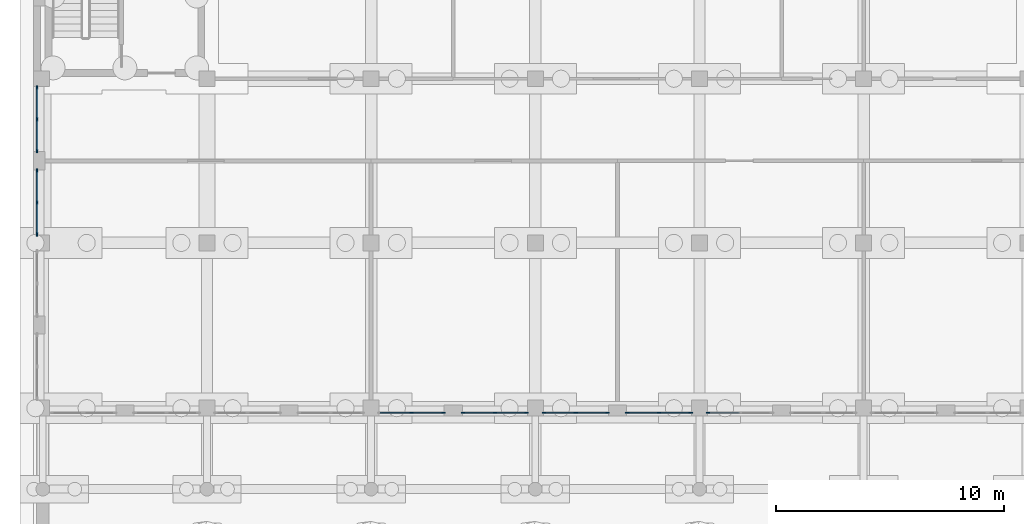
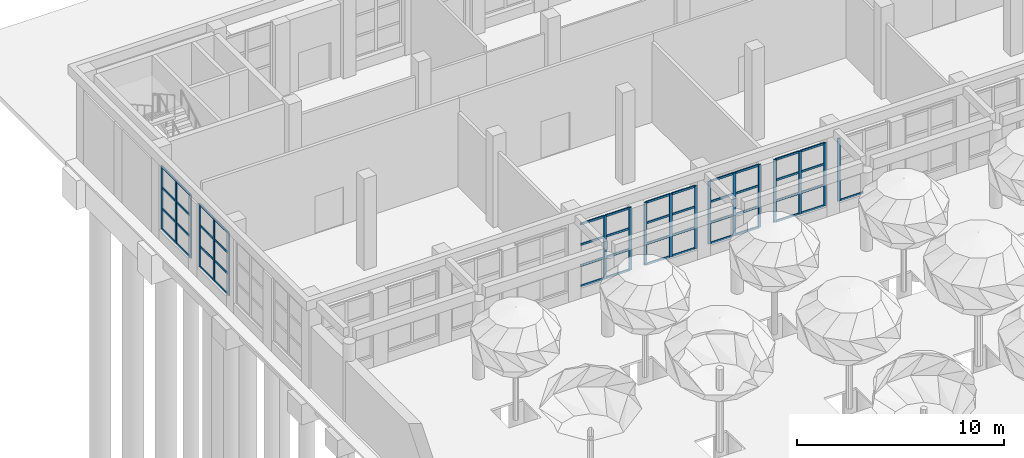
# One storey, part 22 of 80: 67 members, 7 elements without a shape of their own.
"""IFC4 building model written with IfcOpenShell, lengths in metres."""

from ifc_helpers import new_model, si_unit, direction, frame, origin, origin_2d, place, context, subcontext, project, spatial, rectangle, extrude, material, layer, layer_set, material_profile, profile_set, type_object, element, aggregate, save


model = new_model("IFC4")

# Units and contexts
model_context = context("Model", 3, precision=1e-05, world=origin(), true_north=direction((0.0, 1.0)))
body_context = subcontext(model_context, "Body", "Model", "MODEL_VIEW")
ifc_project = project(units=[si_unit("LENGTHUNIT", "METRE"), si_unit("AREAUNIT", "SQUARE_METRE"), si_unit("VOLUMEUNIT", "CUBIC_METRE"), si_unit("PLANEANGLEUNIT", "RADIAN"), si_unit("MASSUNIT", "GRAM", prefix="KILO")], contexts=[model_context])

# Site, building, storey
site_placement = place(None, origin())
site = spatial("IfcSite", under=ifc_project, at=site_placement, CompositionType="ELEMENT")
building_placement = place(site_placement, origin())
building = spatial("IfcBuilding", under=site, at=building_placement, Name="Ussher Court Research Institute", CompositionType="ELEMENT")
storey_placement = place(building_placement, origin())
storey = spatial("IfcBuildingStorey", under=building, at=storey_placement, Name="L00", CompositionType="ELEMENT", Elevation=0.0)

# Curtain wall, members
ifc_material_1 = material(Name="Bronze anodised aluminium with laminated safety glass", Category="aluminium")
ifc_layer = layer(ifc_material_1, 0.1201171875)
ifc_layer_set = layer_set([ifc_layer], Name="Bronze anodised aluminium with laminated safety glass")
curtain_wall_type = type_object("IfcCurtainWallType", Name="Curtain wall dry laboratory base storefront", PredefinedType="NOTDEFINED", material=ifc_layer_set)
curtain_wall_1_placement = place(storey_placement, origin())
curtain_wall_1 = element("IfcCurtainWall", 1, at=curtain_wall_1_placement, inside=storey, type_object=curtain_wall_type, Name="Curtain wall CW4 L00", PredefinedType="NOTDEFINED")
ifc_material_2 = material(Name="Bronze anodised aluminium", Category="aluminium")
ifc_material_profile_1 = material_profile(ifc_material_2, rectangle(XDim=0.06005859375, YDim=0.159912109375, at=origin_2d()), Name="Mullion 60x160")
ifc_profile_set_1 = profile_set([ifc_material_profile_1], Name="Bronze anodised aluminium")
member_type_1 = type_object("IfcMemberType", Name="Mullion 60x160", PredefinedType="MULLION", material=ifc_profile_set_1)
member_1_placement = place(storey_placement, frame((2.75, 76.3798828125, 0.60009765625), z_axis=(0.0, 0.0, 1.0), x_axis=(-1.0, 0.0, 0.0)))
member_1 = element("IfcMember", 2, at=member_1_placement, type_object=member_type_1, Name="CW4 mullion 1", PredefinedType="MULLION", context=body_context, shape_type="SweptSolid", body=[
    extrude(rectangle(XDim=0.06005859375, YDim=0.159912109375, at=origin_2d()), origin(), (0.0, 0.0, 1.0), 3.699951171875),
])
member_2_placement = place(storey_placement, frame((2.75, 77.77490234375, 0.60009765625), z_axis=(0.0, 0.0, 1.0), x_axis=(-1.0, 0.0, 0.0)))
member_2 = element("IfcMember", 3, at=member_2_placement, type_object=member_type_1, Name="CW4 mullion 2", PredefinedType="MULLION", context=body_context, shape_type="SweptSolid", body=[
    extrude(rectangle(XDim=0.06005859375, YDim=0.159912109375, at=origin_2d()), origin(), (0.0, 0.0, 1.0), 3.699951171875),
])
member_3_placement = place(storey_placement, frame((2.75, 79.169921875, 0.60009765625), z_axis=(0.0, 0.0, 1.0), x_axis=(-1.0, 0.0, 0.0)))
member_3 = element("IfcMember", 4, at=member_3_placement, type_object=member_type_1, Name="CW4 mullion 3", PredefinedType="MULLION", context=body_context, shape_type="SweptSolid", body=[
    extrude(rectangle(XDim=0.06005859375, YDim=0.159912109375, at=origin_2d()), origin(), (0.0, 0.0, 1.0), 3.699951171875),
])

curtain_wall_2_placement = place(storey_placement, origin())
curtain_wall_2 = element("IfcCurtainWall", 5, at=curtain_wall_2_placement, inside=storey, type_object=curtain_wall_type, Name="Curtain wall CW4 L00", PredefinedType="NOTDEFINED")
member_4_placement = place(storey_placement, frame((2.75, 80.030029296875, 0.60009765625), z_axis=(0.0, 0.0, 1.0), x_axis=(-1.0, 0.0, 0.0)))
member_4 = element("IfcMember", 6, at=member_4_placement, type_object=member_type_1, Name="CW4 mullion 1", PredefinedType="MULLION", context=body_context, shape_type="SweptSolid", body=[
    extrude(rectangle(XDim=0.06005859375, YDim=0.159912109375, at=origin_2d()), origin(), (0.0, 0.0, 1.0), 3.699951171875),
])
member_5_placement = place(storey_placement, frame((2.75, 81.425048828125, 0.60009765625), z_axis=(0.0, 0.0, 1.0), x_axis=(-1.0, 0.0, 0.0)))
member_5 = element("IfcMember", 7, at=member_5_placement, type_object=member_type_1, Name="CW4 mullion 2", PredefinedType="MULLION", context=body_context, shape_type="SweptSolid", body=[
    extrude(rectangle(XDim=0.06005859375, YDim=0.159912109375, at=origin_2d()), origin(), (0.0, 0.0, 1.0), 3.699951171875),
])
member_6_placement = place(storey_placement, frame((2.75, 82.820068359375, 0.60009765625), z_axis=(0.0, 0.0, 1.0), x_axis=(-1.0, 0.0, 0.0)))
member_6 = element("IfcMember", 8, at=member_6_placement, type_object=member_type_1, Name="CW4 mullion 3", PredefinedType="MULLION", context=body_context, shape_type="SweptSolid", body=[
    extrude(rectangle(XDim=0.06005859375, YDim=0.159912109375, at=origin_2d()), origin(), (0.0, 0.0, 1.0), 3.699951171875),
])

# Curtain wall, member
curtain_wall_3_placement = place(storey_placement, origin())
curtain_wall_3 = element("IfcCurtainWall", 9, at=curtain_wall_3_placement, inside=storey, type_object=curtain_wall_type, Name="Curtain wall CW4 L00", PredefinedType="NOTDEFINED")
member_7_placement = place(storey_placement, frame((32.179931640625, 68.550048828125, 0.60009765625), z_axis=(0.0, 0.0, 1.0), x_axis=(0.0, -1.0, 0.0)))
member_7 = element("IfcMember", 10, at=member_7_placement, type_object=member_type_1, Name="CW4 mullion 3", PredefinedType="MULLION", context=body_context, shape_type="SweptSolid", body=[
    extrude(rectangle(XDim=0.06005859375, YDim=0.159912109375, at=origin_2d()), origin(), (0.0, 0.0, 1.0), 3.699951171875),
])

# Curtain wall, members
curtain_wall_4_placement = place(storey_placement, origin())
curtain_wall_4 = element("IfcCurtainWall", 11, at=curtain_wall_4_placement, inside=storey, type_object=curtain_wall_type, Name="Curtain wall CW4 L00", PredefinedType="NOTDEFINED")
member_8_placement = place(storey_placement, frame((31.419921875, 68.550048828125, 0.60009765625), z_axis=(0.0, 0.0, 1.0), x_axis=(0.0, -1.0, 0.0)))
member_8 = element("IfcMember", 12, at=member_8_placement, type_object=member_type_1, Name="CW4 mullion 1", PredefinedType="MULLION", context=body_context, shape_type="SweptSolid", body=[
    extrude(rectangle(XDim=0.06005859375, YDim=0.159912109375, at=origin_2d()), origin(), (0.0, 0.0, 1.0), 3.699951171875),
])
member_9_placement = place(storey_placement, frame((30.02490234375, 68.550048828125, 0.60009765625), z_axis=(0.0, 0.0, 1.0), x_axis=(0.0, -1.0, 0.0)))
member_9 = element("IfcMember", 13, at=member_9_placement, type_object=member_type_1, Name="CW4 mullion 2", PredefinedType="MULLION", context=body_context, shape_type="SweptSolid", body=[
    extrude(rectangle(XDim=0.06005859375, YDim=0.159912109375, at=origin_2d()), origin(), (0.0, 0.0, 1.0), 3.699951171875),
])
member_10_placement = place(storey_placement, frame((28.6298828125, 68.550048828125, 0.60009765625), z_axis=(0.0, 0.0, 1.0), x_axis=(0.0, -1.0, 0.0)))
member_10 = element("IfcMember", 14, at=member_10_placement, type_object=member_type_1, Name="CW4 mullion 3", PredefinedType="MULLION", context=body_context, shape_type="SweptSolid", body=[
    extrude(rectangle(XDim=0.06005859375, YDim=0.159912109375, at=origin_2d()), origin(), (0.0, 0.0, 1.0), 3.699951171875),
])

curtain_wall_5_placement = place(storey_placement, origin())
curtain_wall_5 = element("IfcCurtainWall", 15, at=curtain_wall_5_placement, inside=storey, type_object=curtain_wall_type, Name="Curtain wall CW4 L00", PredefinedType="NOTDEFINED")
member_11_placement = place(storey_placement, frame((27.77001953125, 68.550048828125, 0.60009765625), z_axis=(0.0, 0.0, 1.0), x_axis=(0.0, -1.0, 0.0)))
member_11 = element("IfcMember", 16, at=member_11_placement, type_object=member_type_1, Name="CW4 mullion 1", PredefinedType="MULLION", context=body_context, shape_type="SweptSolid", body=[
    extrude(rectangle(XDim=0.06005859375, YDim=0.159912109375, at=origin_2d()), origin(), (0.0, 0.0, 1.0), 3.699951171875),
])
member_12_placement = place(storey_placement, frame((26.375, 68.550048828125, 0.60009765625), z_axis=(0.0, 0.0, 1.0), x_axis=(0.0, -1.0, 0.0)))
member_12 = element("IfcMember", 17, at=member_12_placement, type_object=member_type_1, Name="CW4 mullion 2", PredefinedType="MULLION", context=body_context, shape_type="SweptSolid", body=[
    extrude(rectangle(XDim=0.06005859375, YDim=0.159912109375, at=origin_2d()), origin(), (0.0, 0.0, 1.0), 3.699951171875),
])
member_13_placement = place(storey_placement, frame((24.97998046875, 68.550048828125, 0.60009765625), z_axis=(0.0, 0.0, 1.0), x_axis=(0.0, -1.0, 0.0)))
member_13 = element("IfcMember", 18, at=member_13_placement, type_object=member_type_1, Name="CW4 mullion 3", PredefinedType="MULLION", context=body_context, shape_type="SweptSolid", body=[
    extrude(rectangle(XDim=0.06005859375, YDim=0.159912109375, at=origin_2d()), origin(), (0.0, 0.0, 1.0), 3.699951171875),
])

curtain_wall_6_placement = place(storey_placement, origin())
curtain_wall_6 = element("IfcCurtainWall", 19, at=curtain_wall_6_placement, inside=storey, type_object=curtain_wall_type, Name="Curtain wall CW4 L00", PredefinedType="NOTDEFINED")
member_14_placement = place(storey_placement, frame((24.219970703125, 68.550048828125, 0.60009765625), z_axis=(0.0, 0.0, 1.0), x_axis=(0.0, -1.0, 0.0)))
member_14 = element("IfcMember", 20, at=member_14_placement, type_object=member_type_1, Name="CW4 mullion 1", PredefinedType="MULLION", context=body_context, shape_type="SweptSolid", body=[
    extrude(rectangle(XDim=0.06005859375, YDim=0.159912109375, at=origin_2d()), origin(), (0.0, 0.0, 1.0), 3.699951171875),
])
member_15_placement = place(storey_placement, frame((22.824951171875, 68.550048828125, 0.60009765625), z_axis=(0.0, 0.0, 1.0), x_axis=(0.0, -1.0, 0.0)))
member_15 = element("IfcMember", 21, at=member_15_placement, type_object=member_type_1, Name="CW4 mullion 2", PredefinedType="MULLION", context=body_context, shape_type="SweptSolid", body=[
    extrude(rectangle(XDim=0.06005859375, YDim=0.159912109375, at=origin_2d()), origin(), (0.0, 0.0, 1.0), 3.699951171875),
])
member_16_placement = place(storey_placement, frame((21.429931640625, 68.550048828125, 0.60009765625), z_axis=(0.0, 0.0, 1.0), x_axis=(0.0, -1.0, 0.0)))
member_16 = element("IfcMember", 22, at=member_16_placement, type_object=member_type_1, Name="CW4 mullion 3", PredefinedType="MULLION", context=body_context, shape_type="SweptSolid", body=[
    extrude(rectangle(XDim=0.06005859375, YDim=0.159912109375, at=origin_2d()), origin(), (0.0, 0.0, 1.0), 3.699951171875),
])

curtain_wall_7_placement = place(storey_placement, origin())
curtain_wall_7 = element("IfcCurtainWall", 23, at=curtain_wall_7_placement, inside=storey, type_object=curtain_wall_type, Name="Curtain wall CW4 L00", PredefinedType="NOTDEFINED")
member_17_placement = place(storey_placement, frame((20.570068359375, 68.550048828125, 0.60009765625), z_axis=(0.0, 0.0, 1.0), x_axis=(0.0, -1.0, 0.0)))
member_17 = element("IfcMember", 24, at=member_17_placement, type_object=member_type_1, Name="CW4 mullion 1", PredefinedType="MULLION", context=body_context, shape_type="SweptSolid", body=[
    extrude(rectangle(XDim=0.06005859375, YDim=0.159912109375, at=origin_2d()), origin(), (0.0, 0.0, 1.0), 3.699951171875),
])
member_18_placement = place(storey_placement, frame((19.175048828125, 68.550048828125, 0.60009765625), z_axis=(0.0, 0.0, 1.0), x_axis=(0.0, -1.0, 0.0)))
member_18 = element("IfcMember", 25, at=member_18_placement, type_object=member_type_1, Name="CW4 mullion 2", PredefinedType="MULLION", context=body_context, shape_type="SweptSolid", body=[
    extrude(rectangle(XDim=0.06005859375, YDim=0.159912109375, at=origin_2d()), origin(), (0.0, 0.0, 1.0), 3.699951171875),
])

# Member
ifc_material_3 = material(Name="Bronze anodised aluminium", Category="aluminium")
ifc_material_profile_2 = material_profile(ifc_material_3, rectangle(XDim=0.06005859375, YDim=0.1201171875, at=origin_2d()), Name="Transom 60x120")
ifc_profile_set_2 = profile_set([ifc_material_profile_2], Name="Bronze anodised aluminium")
member_type_2 = type_object("IfcMemberType", Name="Transom 60x120", PredefinedType="USERDEFINED", material=ifc_profile_set_2)
member_19_placement = place(storey_placement, frame((2.75, 76.409912109375, 0.6298828125), z_axis=(0.0, 1.0, 0.0), x_axis=(-1.0, 0.0, 0.0)))
member_19 = element("IfcMember", 26, at=member_19_placement, type_object=member_type_2, Name="CW4 transom 1.1", ObjectType="TRANSOM", PredefinedType="USERDEFINED", context=body_context, shape_type="SweptSolid", body=[
    extrude(rectangle(XDim=0.06005859375, YDim=0.1201171875, at=origin_2d()), origin(), (0.0, 0.0, 1.0), 1.335205078125),
])

member_20_placement = place(storey_placement, frame((2.75, 76.409912109375, 1.833251953125), z_axis=(0.0, 1.0, 0.0), x_axis=(-1.0, 0.0, 0.0)))
member_20 = element("IfcMember", 27, at=member_20_placement, type_object=member_type_2, Name="CW4 transom 1.2", ObjectType="TRANSOM", PredefinedType="USERDEFINED", context=body_context, shape_type="SweptSolid", body=[
    extrude(rectangle(XDim=0.06005859375, YDim=0.1201171875, at=origin_2d()), origin(), (0.0, 0.0, 1.0), 1.335205078125),
])

member_21_placement = place(storey_placement, frame((2.75, 76.409912109375, 3.066650390625), z_axis=(0.0, 1.0, 0.0), x_axis=(-1.0, 0.0, 0.0)))
member_21 = element("IfcMember", 28, at=member_21_placement, type_object=member_type_2, Name="CW4 transom 1.3", ObjectType="TRANSOM", PredefinedType="USERDEFINED", context=body_context, shape_type="SweptSolid", body=[
    extrude(rectangle(XDim=0.06005859375, YDim=0.1201171875, at=origin_2d()), origin(), (0.0, 0.0, 1.0), 1.335205078125),
])

member_22_placement = place(storey_placement, frame((2.75, 76.409912109375, 4.27001953125), z_axis=(0.0, 1.0, 0.0), x_axis=(-1.0, 0.0, 0.0)))
member_22 = element("IfcMember", 29, at=member_22_placement, type_object=member_type_2, Name="CW4 transom 1.4", ObjectType="TRANSOM", PredefinedType="USERDEFINED", context=body_context, shape_type="SweptSolid", body=[
    extrude(rectangle(XDim=0.06005859375, YDim=0.1201171875, at=origin_2d()), origin(), (0.0, 0.0, 1.0), 1.335205078125),
])

member_23_placement = place(storey_placement, frame((2.75, 77.804931640625, 0.6298828125), z_axis=(0.0, 1.0, 0.0), x_axis=(-1.0, 0.0, 0.0)))
member_23 = element("IfcMember", 30, at=member_23_placement, type_object=member_type_2, Name="CW4 transom 2.1", ObjectType="TRANSOM", PredefinedType="USERDEFINED", context=body_context, shape_type="SweptSolid", body=[
    extrude(rectangle(XDim=0.06005859375, YDim=0.1201171875, at=origin_2d()), origin(), (0.0, 0.0, 1.0), 1.3349609375),
])

member_24_placement = place(storey_placement, frame((2.75, 77.804931640625, 1.833251953125), z_axis=(0.0, 1.0, 0.0), x_axis=(-1.0, 0.0, 0.0)))
member_24 = element("IfcMember", 31, at=member_24_placement, type_object=member_type_2, Name="CW4 transom 2.2", ObjectType="TRANSOM", PredefinedType="USERDEFINED", context=body_context, shape_type="SweptSolid", body=[
    extrude(rectangle(XDim=0.06005859375, YDim=0.1201171875, at=origin_2d()), origin(), (0.0, 0.0, 1.0), 1.3349609375),
])

member_25_placement = place(storey_placement, frame((2.75, 77.804931640625, 3.066650390625), z_axis=(0.0, 1.0, 0.0), x_axis=(-1.0, 0.0, 0.0)))
member_25 = element("IfcMember", 32, at=member_25_placement, type_object=member_type_2, Name="CW4 transom 2.3", ObjectType="TRANSOM", PredefinedType="USERDEFINED", context=body_context, shape_type="SweptSolid", body=[
    extrude(rectangle(XDim=0.06005859375, YDim=0.1201171875, at=origin_2d()), origin(), (0.0, 0.0, 1.0), 1.3349609375),
])

member_26_placement = place(storey_placement, frame((2.75, 77.804931640625, 4.27001953125), z_axis=(0.0, 1.0, 0.0), x_axis=(-1.0, 0.0, 0.0)))
member_26 = element("IfcMember", 33, at=member_26_placement, type_object=member_type_2, Name="CW4 transom 2.4", ObjectType="TRANSOM", PredefinedType="USERDEFINED", context=body_context, shape_type="SweptSolid", body=[
    extrude(rectangle(XDim=0.06005859375, YDim=0.1201171875, at=origin_2d()), origin(), (0.0, 0.0, 1.0), 1.3349609375),
])

aggregate(curtain_wall_1, [member_1, member_2, member_3, member_19, member_20, member_21, member_22, member_23, member_24, member_25, member_26])

member_27_placement = place(storey_placement, frame((2.75, 80.06005859375, 0.6298828125), z_axis=(0.0, 1.0, 0.0), x_axis=(-1.0, 0.0, 0.0)))
member_27 = element("IfcMember", 34, at=member_27_placement, type_object=member_type_2, Name="CW4 transom 1.1", ObjectType="TRANSOM", PredefinedType="USERDEFINED", context=body_context, shape_type="SweptSolid", body=[
    extrude(rectangle(XDim=0.06005859375, YDim=0.1201171875, at=origin_2d()), origin(), (0.0, 0.0, 1.0), 1.3349609375),
])

member_28_placement = place(storey_placement, frame((2.75, 80.06005859375, 1.833251953125), z_axis=(0.0, 1.0, 0.0), x_axis=(-1.0, 0.0, 0.0)))
member_28 = element("IfcMember", 35, at=member_28_placement, type_object=member_type_2, Name="CW4 transom 1.2", ObjectType="TRANSOM", PredefinedType="USERDEFINED", context=body_context, shape_type="SweptSolid", body=[
    extrude(rectangle(XDim=0.06005859375, YDim=0.1201171875, at=origin_2d()), origin(), (0.0, 0.0, 1.0), 1.3349609375),
])

member_29_placement = place(storey_placement, frame((2.75, 80.06005859375, 3.066650390625), z_axis=(0.0, 1.0, 0.0), x_axis=(-1.0, 0.0, 0.0)))
member_29 = element("IfcMember", 36, at=member_29_placement, type_object=member_type_2, Name="CW4 transom 1.3", ObjectType="TRANSOM", PredefinedType="USERDEFINED", context=body_context, shape_type="SweptSolid", body=[
    extrude(rectangle(XDim=0.06005859375, YDim=0.1201171875, at=origin_2d()), origin(), (0.0, 0.0, 1.0), 1.3349609375),
])

member_30_placement = place(storey_placement, frame((2.75, 80.06005859375, 4.27001953125), z_axis=(0.0, 1.0, 0.0), x_axis=(-1.0, 0.0, 0.0)))
member_30 = element("IfcMember", 37, at=member_30_placement, type_object=member_type_2, Name="CW4 transom 1.4", ObjectType="TRANSOM", PredefinedType="USERDEFINED", context=body_context, shape_type="SweptSolid", body=[
    extrude(rectangle(XDim=0.06005859375, YDim=0.1201171875, at=origin_2d()), origin(), (0.0, 0.0, 1.0), 1.3349609375),
])

member_31_placement = place(storey_placement, frame((2.75, 81.455078125, 0.6298828125), z_axis=(0.0, 1.0, 0.0), x_axis=(-1.0, 0.0, 0.0)))
member_31 = element("IfcMember", 38, at=member_31_placement, type_object=member_type_2, Name="CW4 transom 2.1", ObjectType="TRANSOM", PredefinedType="USERDEFINED", context=body_context, shape_type="SweptSolid", body=[
    extrude(rectangle(XDim=0.06005859375, YDim=0.1201171875, at=origin_2d()), origin(), (0.0, 0.0, 1.0), 1.3349609375),
])

member_32_placement = place(storey_placement, frame((2.75, 81.455078125, 1.833251953125), z_axis=(0.0, 1.0, 0.0), x_axis=(-1.0, 0.0, 0.0)))
member_32 = element("IfcMember", 39, at=member_32_placement, type_object=member_type_2, Name="CW4 transom 2.2", ObjectType="TRANSOM", PredefinedType="USERDEFINED", context=body_context, shape_type="SweptSolid", body=[
    extrude(rectangle(XDim=0.06005859375, YDim=0.1201171875, at=origin_2d()), origin(), (0.0, 0.0, 1.0), 1.3349609375),
])

member_33_placement = place(storey_placement, frame((2.75, 81.455078125, 3.066650390625), z_axis=(0.0, 1.0, 0.0), x_axis=(-1.0, 0.0, 0.0)))
member_33 = element("IfcMember", 40, at=member_33_placement, type_object=member_type_2, Name="CW4 transom 2.3", ObjectType="TRANSOM", PredefinedType="USERDEFINED", context=body_context, shape_type="SweptSolid", body=[
    extrude(rectangle(XDim=0.06005859375, YDim=0.1201171875, at=origin_2d()), origin(), (0.0, 0.0, 1.0), 1.3349609375),
])

member_34_placement = place(storey_placement, frame((2.75, 81.455078125, 4.27001953125), z_axis=(0.0, 1.0, 0.0), x_axis=(-1.0, 0.0, 0.0)))
member_34 = element("IfcMember", 41, at=member_34_placement, type_object=member_type_2, Name="CW4 transom 2.4", ObjectType="TRANSOM", PredefinedType="USERDEFINED", context=body_context, shape_type="SweptSolid", body=[
    extrude(rectangle(XDim=0.06005859375, YDim=0.1201171875, at=origin_2d()), origin(), (0.0, 0.0, 1.0), 1.3349609375),
])

aggregate(curtain_wall_2, [member_4, member_5, member_6, member_27, member_28, member_29, member_30, member_31, member_32, member_33, member_34])

member_35_placement = place(storey_placement, frame((33.544921875, 68.550048828125, 0.6298828125), z_axis=(-1.0, 0.0, 0.0), x_axis=(0.0, -1.0, 0.0)))
member_35 = element("IfcMember", 42, at=member_35_placement, type_object=member_type_2, Name="CW4 transom 2.1", ObjectType="TRANSOM", PredefinedType="USERDEFINED", context=body_context, shape_type="SweptSolid", body=[
    extrude(rectangle(XDim=0.06005859375, YDim=0.1201171875, at=origin_2d()), origin(), (0.0, 0.0, 1.0), 1.3349609375),
])

aggregate(curtain_wall_3, [member_7, member_35])

member_36_placement = place(storey_placement, frame((31.389892578125, 68.550048828125, 0.6298828125), z_axis=(-1.0, 0.0, 0.0), x_axis=(0.0, -1.0, 0.0)))
member_36 = element("IfcMember", 43, at=member_36_placement, type_object=member_type_2, Name="CW4 transom 1.1", ObjectType="TRANSOM", PredefinedType="USERDEFINED", context=body_context, shape_type="SweptSolid", body=[
    extrude(rectangle(XDim=0.06005859375, YDim=0.1201171875, at=origin_2d()), origin(), (0.0, 0.0, 1.0), 1.3349609375),
])

member_37_placement = place(storey_placement, frame((31.389892578125, 68.550048828125, 1.833251953125), z_axis=(-1.0, 0.0, 0.0), x_axis=(0.0, -1.0, 0.0)))
member_37 = element("IfcMember", 44, at=member_37_placement, type_object=member_type_2, Name="CW4 transom 1.2", ObjectType="TRANSOM", PredefinedType="USERDEFINED", context=body_context, shape_type="SweptSolid", body=[
    extrude(rectangle(XDim=0.06005859375, YDim=0.1201171875, at=origin_2d()), origin(), (0.0, 0.0, 1.0), 1.3349609375),
])

member_38_placement = place(storey_placement, frame((31.389892578125, 68.550048828125, 3.066650390625), z_axis=(-1.0, 0.0, 0.0), x_axis=(0.0, -1.0, 0.0)))
member_38 = element("IfcMember", 45, at=member_38_placement, type_object=member_type_2, Name="CW4 transom 1.3", ObjectType="TRANSOM", PredefinedType="USERDEFINED", context=body_context, shape_type="SweptSolid", body=[
    extrude(rectangle(XDim=0.06005859375, YDim=0.1201171875, at=origin_2d()), origin(), (0.0, 0.0, 1.0), 1.3349609375),
])

member_39_placement = place(storey_placement, frame((31.389892578125, 68.550048828125, 4.27001953125), z_axis=(-1.0, 0.0, 0.0), x_axis=(0.0, -1.0, 0.0)))
member_39 = element("IfcMember", 46, at=member_39_placement, type_object=member_type_2, Name="CW4 transom 1.4", ObjectType="TRANSOM", PredefinedType="USERDEFINED", context=body_context, shape_type="SweptSolid", body=[
    extrude(rectangle(XDim=0.06005859375, YDim=0.1201171875, at=origin_2d()), origin(), (0.0, 0.0, 1.0), 1.3349609375),
])

member_40_placement = place(storey_placement, frame((29.9951171875, 68.550048828125, 0.6298828125), z_axis=(-1.0, 0.0, 0.0), x_axis=(0.0, -1.0, 0.0)))
member_40 = element("IfcMember", 47, at=member_40_placement, type_object=member_type_2, Name="CW4 transom 2.1", ObjectType="TRANSOM", PredefinedType="USERDEFINED", context=body_context, shape_type="SweptSolid", body=[
    extrude(rectangle(XDim=0.06005859375, YDim=0.1201171875, at=origin_2d()), origin(), (0.0, 0.0, 1.0), 1.335205078125),
])

member_41_placement = place(storey_placement, frame((29.9951171875, 68.550048828125, 1.833251953125), z_axis=(-1.0, 0.0, 0.0), x_axis=(0.0, -1.0, 0.0)))
member_41 = element("IfcMember", 48, at=member_41_placement, type_object=member_type_2, Name="CW4 transom 2.2", ObjectType="TRANSOM", PredefinedType="USERDEFINED", context=body_context, shape_type="SweptSolid", body=[
    extrude(rectangle(XDim=0.06005859375, YDim=0.1201171875, at=origin_2d()), origin(), (0.0, 0.0, 1.0), 1.335205078125),
])

member_42_placement = place(storey_placement, frame((29.9951171875, 68.550048828125, 3.066650390625), z_axis=(-1.0, 0.0, 0.0), x_axis=(0.0, -1.0, 0.0)))
member_42 = element("IfcMember", 49, at=member_42_placement, type_object=member_type_2, Name="CW4 transom 2.3", ObjectType="TRANSOM", PredefinedType="USERDEFINED", context=body_context, shape_type="SweptSolid", body=[
    extrude(rectangle(XDim=0.06005859375, YDim=0.1201171875, at=origin_2d()), origin(), (0.0, 0.0, 1.0), 1.335205078125),
])

member_43_placement = place(storey_placement, frame((29.9951171875, 68.550048828125, 4.27001953125), z_axis=(-1.0, 0.0, 0.0), x_axis=(0.0, -1.0, 0.0)))
member_43 = element("IfcMember", 50, at=member_43_placement, type_object=member_type_2, Name="CW4 transom 2.4", ObjectType="TRANSOM", PredefinedType="USERDEFINED", context=body_context, shape_type="SweptSolid", body=[
    extrude(rectangle(XDim=0.06005859375, YDim=0.1201171875, at=origin_2d()), origin(), (0.0, 0.0, 1.0), 1.335205078125),
])

aggregate(curtain_wall_4, [member_8, member_9, member_10, member_36, member_37, member_38, member_39, member_40, member_41, member_42, member_43])

member_44_placement = place(storey_placement, frame((27.739990234375, 68.550048828125, 0.6298828125), z_axis=(-1.0, 0.0, 0.0), x_axis=(0.0, -1.0, 0.0)))
member_44 = element("IfcMember", 51, at=member_44_placement, type_object=member_type_2, Name="CW4 transom 1.1", ObjectType="TRANSOM", PredefinedType="USERDEFINED", context=body_context, shape_type="SweptSolid", body=[
    extrude(rectangle(XDim=0.06005859375, YDim=0.1201171875, at=origin_2d()), origin(), (0.0, 0.0, 1.0), 1.3349609375),
])

member_45_placement = place(storey_placement, frame((27.739990234375, 68.550048828125, 1.833251953125), z_axis=(-1.0, 0.0, 0.0), x_axis=(0.0, -1.0, 0.0)))
member_45 = element("IfcMember", 52, at=member_45_placement, type_object=member_type_2, Name="CW4 transom 1.2", ObjectType="TRANSOM", PredefinedType="USERDEFINED", context=body_context, shape_type="SweptSolid", body=[
    extrude(rectangle(XDim=0.06005859375, YDim=0.1201171875, at=origin_2d()), origin(), (0.0, 0.0, 1.0), 1.3349609375),
])

member_46_placement = place(storey_placement, frame((27.739990234375, 68.550048828125, 3.066650390625), z_axis=(-1.0, 0.0, 0.0), x_axis=(0.0, -1.0, 0.0)))
member_46 = element("IfcMember", 53, at=member_46_placement, type_object=member_type_2, Name="CW4 transom 1.3", ObjectType="TRANSOM", PredefinedType="USERDEFINED", context=body_context, shape_type="SweptSolid", body=[
    extrude(rectangle(XDim=0.06005859375, YDim=0.1201171875, at=origin_2d()), origin(), (0.0, 0.0, 1.0), 1.3349609375),
])

member_47_placement = place(storey_placement, frame((27.739990234375, 68.550048828125, 4.27001953125), z_axis=(-1.0, 0.0, 0.0), x_axis=(0.0, -1.0, 0.0)))
member_47 = element("IfcMember", 54, at=member_47_placement, type_object=member_type_2, Name="CW4 transom 1.4", ObjectType="TRANSOM", PredefinedType="USERDEFINED", context=body_context, shape_type="SweptSolid", body=[
    extrude(rectangle(XDim=0.06005859375, YDim=0.1201171875, at=origin_2d()), origin(), (0.0, 0.0, 1.0), 1.3349609375),
])

member_48_placement = place(storey_placement, frame((26.344970703125, 68.550048828125, 0.6298828125), z_axis=(-1.0, 0.0, 0.0), x_axis=(0.0, -1.0, 0.0)))
member_48 = element("IfcMember", 55, at=member_48_placement, type_object=member_type_2, Name="CW4 transom 2.1", ObjectType="TRANSOM", PredefinedType="USERDEFINED", context=body_context, shape_type="SweptSolid", body=[
    extrude(rectangle(XDim=0.06005859375, YDim=0.1201171875, at=origin_2d()), origin(), (0.0, 0.0, 1.0), 1.3349609375),
])

member_49_placement = place(storey_placement, frame((26.344970703125, 68.550048828125, 1.833251953125), z_axis=(-1.0, 0.0, 0.0), x_axis=(0.0, -1.0, 0.0)))
member_49 = element("IfcMember", 56, at=member_49_placement, type_object=member_type_2, Name="CW4 transom 2.2", ObjectType="TRANSOM", PredefinedType="USERDEFINED", context=body_context, shape_type="SweptSolid", body=[
    extrude(rectangle(XDim=0.06005859375, YDim=0.1201171875, at=origin_2d()), origin(), (0.0, 0.0, 1.0), 1.3349609375),
])

member_50_placement = place(storey_placement, frame((26.344970703125, 68.550048828125, 3.066650390625), z_axis=(-1.0, 0.0, 0.0), x_axis=(0.0, -1.0, 0.0)))
member_50 = element("IfcMember", 57, at=member_50_placement, type_object=member_type_2, Name="CW4 transom 2.3", ObjectType="TRANSOM", PredefinedType="USERDEFINED", context=body_context, shape_type="SweptSolid", body=[
    extrude(rectangle(XDim=0.06005859375, YDim=0.1201171875, at=origin_2d()), origin(), (0.0, 0.0, 1.0), 1.3349609375),
])

member_51_placement = place(storey_placement, frame((26.344970703125, 68.550048828125, 4.27001953125), z_axis=(-1.0, 0.0, 0.0), x_axis=(0.0, -1.0, 0.0)))
member_51 = element("IfcMember", 58, at=member_51_placement, type_object=member_type_2, Name="CW4 transom 2.4", ObjectType="TRANSOM", PredefinedType="USERDEFINED", context=body_context, shape_type="SweptSolid", body=[
    extrude(rectangle(XDim=0.06005859375, YDim=0.1201171875, at=origin_2d()), origin(), (0.0, 0.0, 1.0), 1.3349609375),
])

aggregate(curtain_wall_5, [member_11, member_12, member_13, member_44, member_45, member_46, member_47, member_48, member_49, member_50, member_51])

member_52_placement = place(storey_placement, frame((24.18994140625, 68.550048828125, 0.6298828125), z_axis=(-1.0, 0.0, 0.0), x_axis=(0.0, -1.0, 0.0)))
member_52 = element("IfcMember", 59, at=member_52_placement, type_object=member_type_2, Name="CW4 transom 1.1", ObjectType="TRANSOM", PredefinedType="USERDEFINED", context=body_context, shape_type="SweptSolid", body=[
    extrude(rectangle(XDim=0.06005859375, YDim=0.1201171875, at=origin_2d()), origin(), (0.0, 0.0, 1.0), 1.3349609375),
])

member_53_placement = place(storey_placement, frame((24.18994140625, 68.550048828125, 1.833251953125), z_axis=(-1.0, 0.0, 0.0), x_axis=(0.0, -1.0, 0.0)))
member_53 = element("IfcMember", 60, at=member_53_placement, type_object=member_type_2, Name="CW4 transom 1.2", ObjectType="TRANSOM", PredefinedType="USERDEFINED", context=body_context, shape_type="SweptSolid", body=[
    extrude(rectangle(XDim=0.06005859375, YDim=0.1201171875, at=origin_2d()), origin(), (0.0, 0.0, 1.0), 1.3349609375),
])

member_54_placement = place(storey_placement, frame((24.18994140625, 68.550048828125, 3.066650390625), z_axis=(-1.0, 0.0, 0.0), x_axis=(0.0, -1.0, 0.0)))
member_54 = element("IfcMember", 61, at=member_54_placement, type_object=member_type_2, Name="CW4 transom 1.3", ObjectType="TRANSOM", PredefinedType="USERDEFINED", context=body_context, shape_type="SweptSolid", body=[
    extrude(rectangle(XDim=0.06005859375, YDim=0.1201171875, at=origin_2d()), origin(), (0.0, 0.0, 1.0), 1.3349609375),
])

member_55_placement = place(storey_placement, frame((24.18994140625, 68.550048828125, 4.27001953125), z_axis=(-1.0, 0.0, 0.0), x_axis=(0.0, -1.0, 0.0)))
member_55 = element("IfcMember", 62, at=member_55_placement, type_object=member_type_2, Name="CW4 transom 1.4", ObjectType="TRANSOM", PredefinedType="USERDEFINED", context=body_context, shape_type="SweptSolid", body=[
    extrude(rectangle(XDim=0.06005859375, YDim=0.1201171875, at=origin_2d()), origin(), (0.0, 0.0, 1.0), 1.3349609375),
])

member_56_placement = place(storey_placement, frame((22.794921875, 68.550048828125, 0.6298828125), z_axis=(-1.0, 0.0, 0.0), x_axis=(0.0, -1.0, 0.0)))
member_56 = element("IfcMember", 63, at=member_56_placement, type_object=member_type_2, Name="CW4 transom 2.1", ObjectType="TRANSOM", PredefinedType="USERDEFINED", context=body_context, shape_type="SweptSolid", body=[
    extrude(rectangle(XDim=0.06005859375, YDim=0.1201171875, at=origin_2d()), origin(), (0.0, 0.0, 1.0), 1.3349609375),
])

member_57_placement = place(storey_placement, frame((22.794921875, 68.550048828125, 1.833251953125), z_axis=(-1.0, 0.0, 0.0), x_axis=(0.0, -1.0, 0.0)))
member_57 = element("IfcMember", 64, at=member_57_placement, type_object=member_type_2, Name="CW4 transom 2.2", ObjectType="TRANSOM", PredefinedType="USERDEFINED", context=body_context, shape_type="SweptSolid", body=[
    extrude(rectangle(XDim=0.06005859375, YDim=0.1201171875, at=origin_2d()), origin(), (0.0, 0.0, 1.0), 1.3349609375),
])

member_58_placement = place(storey_placement, frame((22.794921875, 68.550048828125, 3.066650390625), z_axis=(-1.0, 0.0, 0.0), x_axis=(0.0, -1.0, 0.0)))
member_58 = element("IfcMember", 65, at=member_58_placement, type_object=member_type_2, Name="CW4 transom 2.3", ObjectType="TRANSOM", PredefinedType="USERDEFINED", context=body_context, shape_type="SweptSolid", body=[
    extrude(rectangle(XDim=0.06005859375, YDim=0.1201171875, at=origin_2d()), origin(), (0.0, 0.0, 1.0), 1.3349609375),
])

member_59_placement = place(storey_placement, frame((22.794921875, 68.550048828125, 4.27001953125), z_axis=(-1.0, 0.0, 0.0), x_axis=(0.0, -1.0, 0.0)))
member_59 = element("IfcMember", 66, at=member_59_placement, type_object=member_type_2, Name="CW4 transom 2.4", ObjectType="TRANSOM", PredefinedType="USERDEFINED", context=body_context, shape_type="SweptSolid", body=[
    extrude(rectangle(XDim=0.06005859375, YDim=0.1201171875, at=origin_2d()), origin(), (0.0, 0.0, 1.0), 1.3349609375),
])

aggregate(curtain_wall_6, [member_14, member_15, member_16, member_52, member_53, member_54, member_55, member_56, member_57, member_58, member_59])

member_60_placement = place(storey_placement, frame((20.5400390625, 68.550048828125, 0.6298828125), z_axis=(-1.0, 0.0, 0.0), x_axis=(0.0, -1.0, 0.0)))
member_60 = element("IfcMember", 67, at=member_60_placement, type_object=member_type_2, Name="CW4 transom 1.1", ObjectType="TRANSOM", PredefinedType="USERDEFINED", context=body_context, shape_type="SweptSolid", body=[
    extrude(rectangle(XDim=0.06005859375, YDim=0.1201171875, at=origin_2d()), origin(), (0.0, 0.0, 1.0), 1.3349609375),
])

member_61_placement = place(storey_placement, frame((20.5400390625, 68.550048828125, 1.833251953125), z_axis=(-1.0, 0.0, 0.0), x_axis=(0.0, -1.0, 0.0)))
member_61 = element("IfcMember", 68, at=member_61_placement, type_object=member_type_2, Name="CW4 transom 1.2", ObjectType="TRANSOM", PredefinedType="USERDEFINED", context=body_context, shape_type="SweptSolid", body=[
    extrude(rectangle(XDim=0.06005859375, YDim=0.1201171875, at=origin_2d()), origin(), (0.0, 0.0, 1.0), 1.3349609375),
])

member_62_placement = place(storey_placement, frame((20.5400390625, 68.550048828125, 3.066650390625), z_axis=(-1.0, 0.0, 0.0), x_axis=(0.0, -1.0, 0.0)))
member_62 = element("IfcMember", 69, at=member_62_placement, type_object=member_type_2, Name="CW4 transom 1.3", ObjectType="TRANSOM", PredefinedType="USERDEFINED", context=body_context, shape_type="SweptSolid", body=[
    extrude(rectangle(XDim=0.06005859375, YDim=0.1201171875, at=origin_2d()), origin(), (0.0, 0.0, 1.0), 1.3349609375),
])

member_63_placement = place(storey_placement, frame((20.5400390625, 68.550048828125, 4.27001953125), z_axis=(-1.0, 0.0, 0.0), x_axis=(0.0, -1.0, 0.0)))
member_63 = element("IfcMember", 70, at=member_63_placement, type_object=member_type_2, Name="CW4 transom 1.4", ObjectType="TRANSOM", PredefinedType="USERDEFINED", context=body_context, shape_type="SweptSolid", body=[
    extrude(rectangle(XDim=0.06005859375, YDim=0.1201171875, at=origin_2d()), origin(), (0.0, 0.0, 1.0), 1.3349609375),
])

member_64_placement = place(storey_placement, frame((19.14501953125, 68.550048828125, 0.6298828125), z_axis=(-1.0, 0.0, 0.0), x_axis=(0.0, -1.0, 0.0)))
member_64 = element("IfcMember", 71, at=member_64_placement, type_object=member_type_2, Name="CW4 transom 2.1", ObjectType="TRANSOM", PredefinedType="USERDEFINED", context=body_context, shape_type="SweptSolid", body=[
    extrude(rectangle(XDim=0.06005859375, YDim=0.1201171875, at=origin_2d()), origin(), (0.0, 0.0, 1.0), 1.3349609375),
])

member_65_placement = place(storey_placement, frame((19.14501953125, 68.550048828125, 1.833251953125), z_axis=(-1.0, 0.0, 0.0), x_axis=(0.0, -1.0, 0.0)))
member_65 = element("IfcMember", 72, at=member_65_placement, type_object=member_type_2, Name="CW4 transom 2.2", ObjectType="TRANSOM", PredefinedType="USERDEFINED", context=body_context, shape_type="SweptSolid", body=[
    extrude(rectangle(XDim=0.06005859375, YDim=0.1201171875, at=origin_2d()), origin(), (0.0, 0.0, 1.0), 1.3349609375),
])

member_66_placement = place(storey_placement, frame((19.14501953125, 68.550048828125, 3.066650390625), z_axis=(-1.0, 0.0, 0.0), x_axis=(0.0, -1.0, 0.0)))
member_66 = element("IfcMember", 73, at=member_66_placement, type_object=member_type_2, Name="CW4 transom 2.3", ObjectType="TRANSOM", PredefinedType="USERDEFINED", context=body_context, shape_type="SweptSolid", body=[
    extrude(rectangle(XDim=0.06005859375, YDim=0.1201171875, at=origin_2d()), origin(), (0.0, 0.0, 1.0), 1.3349609375),
])

member_67_placement = place(storey_placement, frame((19.14501953125, 68.550048828125, 4.27001953125), z_axis=(-1.0, 0.0, 0.0), x_axis=(0.0, -1.0, 0.0)))
member_67 = element("IfcMember", 74, at=member_67_placement, type_object=member_type_2, Name="CW4 transom 2.4", ObjectType="TRANSOM", PredefinedType="USERDEFINED", context=body_context, shape_type="SweptSolid", body=[
    extrude(rectangle(XDim=0.06005859375, YDim=0.1201171875, at=origin_2d()), origin(), (0.0, 0.0, 1.0), 1.3349609375),
])

aggregate(curtain_wall_7, [member_17, member_18, member_60, member_61, member_62, member_63, member_64, member_65, member_66, member_67])

save(model, "model.ifc")
